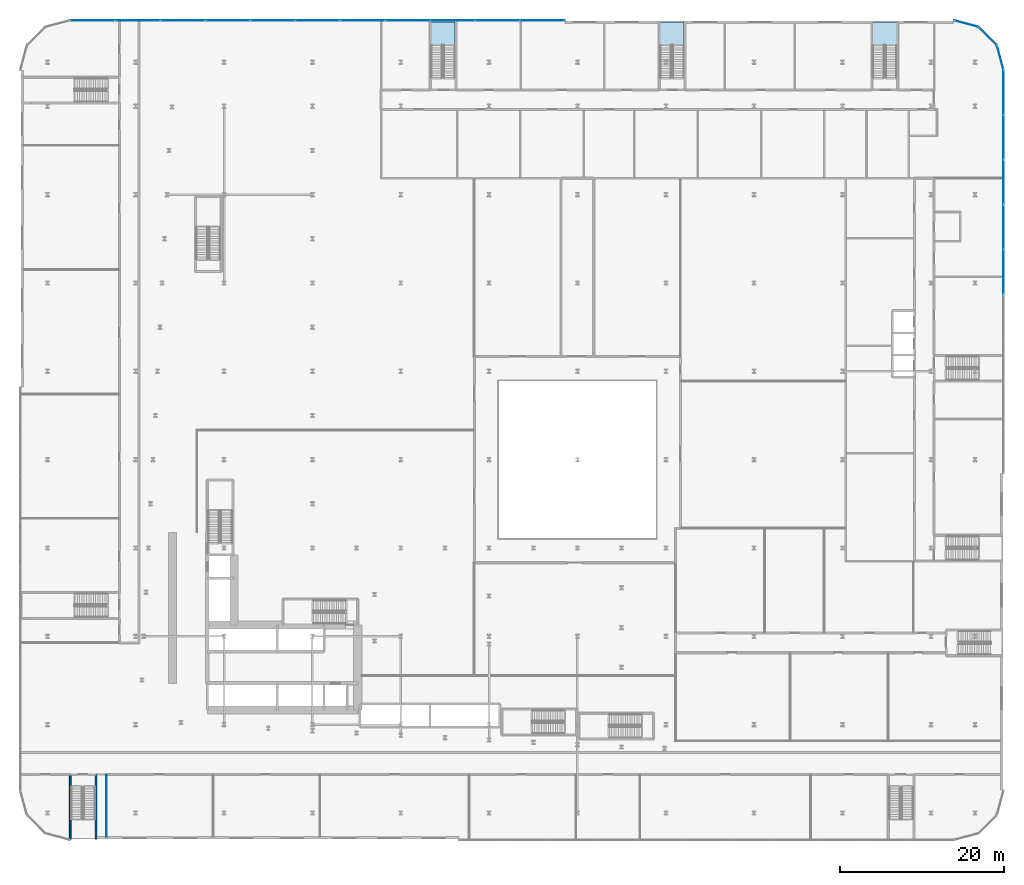
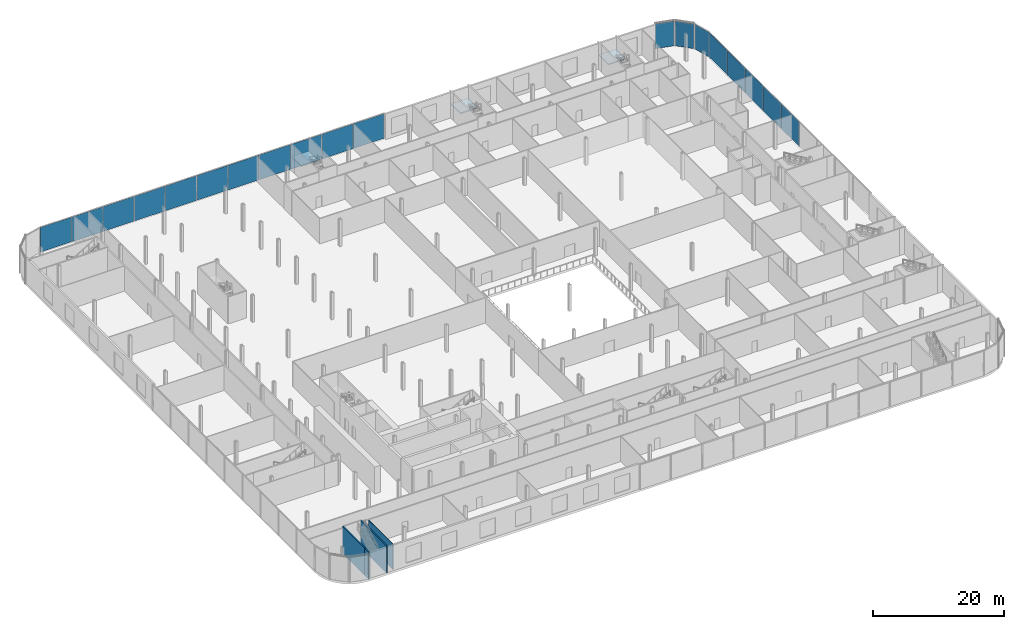
# One storey, part 24 of 47: 19 plates, 4 walls, 3 slabs, 8 elements without a shape of their own.
"""IFC4 building model written with IfcOpenShell, lengths in metres."""

from ifc_helpers import new_model, si_unit, direction, frame, frame_2d, origin, origin_2d, place, context, subcontext, project, spatial, polyline, rectangle, outline, extrude, material, layer, layer_set, type_object, element, aggregate, save


model = new_model("IFC4")

# Units and contexts
model_context = context("Model", 3, precision=1e-05, world=origin(), true_north=direction((0.0, 1.0)))
body_context = subcontext(model_context, "Body", "Model", "MODEL_VIEW")
ifc_project = project(units=[si_unit("LENGTHUNIT", "METRE"), si_unit("AREAUNIT", "SQUARE_METRE"), si_unit("VOLUMEUNIT", "CUBIC_METRE"), si_unit("PLANEANGLEUNIT", "RADIAN"), si_unit("MASSUNIT", "GRAM", prefix="KILO")], contexts=[model_context])

# Site, building, storey
site_placement = place(None, origin())
site = spatial("IfcSite", under=ifc_project, at=site_placement, CompositionType="ELEMENT")
building_placement = place(site_placement, origin())
building = spatial("IfcBuilding", under=site, at=building_placement, Name="Kheshtan School and Residences Tower", CompositionType="ELEMENT")
storey_placement = place(building_placement, frame((0.0, 0.0, 7.5)))
storey = spatial("IfcBuildingStorey", under=building, at=storey_placement, Name="L01", CompositionType="ELEMENT", Elevation=7.5)

# Curtain wall, plates
ifc_material_1 = material(Name="Clear low-e glass in thermally broken aluminium frame", Category="aluminium")
ifc_layer_1 = layer(ifc_material_1, 0.22509765625)
ifc_layer_set_1 = layer_set([ifc_layer_1], Name="Curtain wall CW-P")
curtain_wall_type = type_object("IfcCurtainWallType", Name="Curtain wall CW-P", PredefinedType="NOTDEFINED", material=ifc_layer_set_1)
curtain_wall_1_placement = place(storey_placement, origin())
curtain_wall_1 = element("IfcCurtainWall", 1, at=curtain_wall_1_placement, inside=storey, type_object=curtain_wall_type, Name="Curtain wall CWP4", PredefinedType="NOTDEFINED")
ifc_layer_2 = layer(ifc_material_1, 0.035888671875)
ifc_layer_set_2 = layer_set([ifc_layer_2], Name="CW-P glass panel")
plate_type = type_object("IfcPlateType", Name="CW-P glass panel", PredefinedType="CURTAIN_PANEL", material=ifc_layer_set_2)
plate_1_placement = place(storey_placement, frame((20.7216796875, 110.10009765625, 0.0), z_axis=(0.0, 0.0, 1.0), x_axis=(1.0, 0.0, 0.0)))
plate_1 = element("IfcPlate", 2, at=plate_1_placement, type_object=plate_type, Name="CWP4 panel 1.1", PredefinedType="CURTAIN_PANEL", context=body_context, shape_type="SweptSolid", body=[
    extrude(rectangle(XDim=5.4931640625, YDim=0.035888671875, at=origin_2d()), origin(), (0.0, 0.0, 1.0), 4.610107421875),
])
plate_2_placement = place(storey_placement, frame((26.247314453125, 110.10009765625, 0.0), z_axis=(0.0, 0.0, 1.0), x_axis=(1.0, 0.0, 0.0)))
plate_2 = element("IfcPlate", 3, at=plate_2_placement, type_object=plate_type, Name="CWP4 panel 2.1", PredefinedType="CURTAIN_PANEL", context=body_context, shape_type="SweptSolid", body=[
    extrude(rectangle(XDim=5.438232421875, YDim=0.035888671875, at=origin_2d()), origin(), (0.0, 0.0, 1.0), 4.610107421875),
])
plate_3_placement = place(storey_placement, frame((31.745361328125, 110.10009765625, 0.0), z_axis=(0.0, 0.0, 1.0), x_axis=(1.0, 0.0, 0.0)))
plate_3 = element("IfcPlate", 4, at=plate_3_placement, type_object=plate_type, Name="CWP4 panel 3.1", PredefinedType="CURTAIN_PANEL", context=body_context, shape_type="SweptSolid", body=[
    extrude(rectangle(XDim=5.438232421875, YDim=0.035888671875, at=origin_2d()), origin(), (0.0, 0.0, 1.0), 4.610107421875),
])
plate_4_placement = place(storey_placement, frame((37.24365234375, 110.10009765625, 0.0), z_axis=(0.0, 0.0, 1.0), x_axis=(1.0, 0.0, 0.0)))
plate_4 = element("IfcPlate", 5, at=plate_4_placement, type_object=plate_type, Name="CWP4 panel 4.1", PredefinedType="CURTAIN_PANEL", context=body_context, shape_type="SweptSolid", body=[
    extrude(rectangle(XDim=5.438232421875, YDim=0.035888671875, at=origin_2d()), origin(), (0.0, 0.0, 1.0), 4.610107421875),
])
plate_5_placement = place(storey_placement, frame((42.74169921875, 110.10009765625, 0.0), z_axis=(0.0, 0.0, 1.0), x_axis=(1.0, 0.0, 0.0)))
plate_5 = element("IfcPlate", 6, at=plate_5_placement, type_object=plate_type, Name="CWP4 panel 5.1", PredefinedType="CURTAIN_PANEL", context=body_context, shape_type="SweptSolid", body=[
    extrude(rectangle(XDim=5.438232421875, YDim=0.035888671875, at=origin_2d()), origin(), (0.0, 0.0, 1.0), 4.610107421875),
])
plate_6_placement = place(storey_placement, frame((48.239990234375, 110.10009765625, 0.0), z_axis=(0.0, 0.0, 1.0), x_axis=(1.0, 0.0, 0.0)))
plate_6 = element("IfcPlate", 7, at=plate_6_placement, type_object=plate_type, Name="CWP4 panel 6.1", PredefinedType="CURTAIN_PANEL", context=body_context, shape_type="SweptSolid", body=[
    extrude(rectangle(XDim=5.438232421875, YDim=0.035888671875, at=origin_2d()), origin(), (0.0, 0.0, 1.0), 4.610107421875),
])
plate_7_placement = place(storey_placement, frame((53.73828125, 110.10009765625, 0.0), z_axis=(0.0, 0.0, 1.0), x_axis=(1.0, 0.0, 0.0)))
plate_7 = element("IfcPlate", 8, at=plate_7_placement, type_object=plate_type, Name="CWP4 panel 7.1", PredefinedType="CURTAIN_PANEL", context=body_context, shape_type="SweptSolid", body=[
    extrude(rectangle(XDim=5.438232421875, YDim=0.035888671875, at=origin_2d()), origin(), (0.0, 0.0, 1.0), 4.610107421875),
])
plate_8_placement = place(storey_placement, frame((59.236328125, 110.10009765625, 0.0), z_axis=(0.0, 0.0, 1.0), x_axis=(1.0, 0.0, 0.0)))
plate_8 = element("IfcPlate", 9, at=plate_8_placement, type_object=plate_type, Name="CWP4 panel 8.1", PredefinedType="CURTAIN_PANEL", context=body_context, shape_type="SweptSolid", body=[
    extrude(rectangle(XDim=5.438232421875, YDim=0.035888671875, at=origin_2d()), origin(), (0.0, 0.0, 1.0), 4.610107421875),
])
plate_9_placement = place(storey_placement, frame((64.734619140625, 110.10009765625, 0.0), z_axis=(0.0, 0.0, 1.0), x_axis=(1.0, 0.0, 0.0)))
plate_9 = element("IfcPlate", 10, at=plate_9_placement, type_object=plate_type, Name="CWP4 panel 9.1", PredefinedType="CURTAIN_PANEL", context=body_context, shape_type="SweptSolid", body=[
    extrude(rectangle(XDim=5.438232421875, YDim=0.035888671875, at=origin_2d()), origin(), (0.0, 0.0, 1.0), 4.610107421875),
])
plate_10_placement = place(storey_placement, frame((70.232666015625, 110.10009765625, 0.0), z_axis=(0.0, 0.0, 1.0), x_axis=(1.0, 0.0, 0.0)))
plate_10 = element("IfcPlate", 11, at=plate_10_placement, type_object=plate_type, Name="CWP4 panel 10.1", PredefinedType="CURTAIN_PANEL", context=body_context, shape_type="SweptSolid", body=[
    extrude(rectangle(XDim=5.438232421875, YDim=0.035888671875, at=origin_2d()), origin(), (0.0, 0.0, 1.0), 4.610107421875),
])
plate_11_placement = place(storey_placement, frame((75.7158203125, 110.10009765625, 0.0), z_axis=(0.0, 0.0, 1.0), x_axis=(1.0, 0.0, 0.0)))
plate_11 = element("IfcPlate", 12, at=plate_11_placement, type_object=plate_type, Name="CWP4 panel 11.1", PredefinedType="CURTAIN_PANEL", context=body_context, shape_type="SweptSolid", body=[
    extrude(rectangle(XDim=5.408203125, YDim=0.035888671875, at=origin_2d()), origin(), (0.0, 0.0, 1.0), 4.610107421875),
])
aggregate(curtain_wall_1, [plate_1, plate_2, plate_3, plate_4, plate_5, plate_6, plate_7, plate_8, plate_9, plate_10, plate_11])

# Curtain wall, plate
curtain_wall_2_placement = place(storey_placement, origin())
curtain_wall_2 = element("IfcCurtainWall", 13, at=curtain_wall_2_placement, inside=storey, type_object=curtain_wall_type, Name="Curtain wall CWP5", PredefinedType="NOTDEFINED")
plate_12_placement = place(storey_placement, frame((127.52587890625, 109.694580078125, 0.0), z_axis=(0.0, 0.0, 1.0), x_axis=(0.965913556273, -0.258864833085, 0.0)))
plate_12 = element("IfcPlate", 14, at=plate_12_placement, type_object=plate_type, Name="CWP5 panel 1.1", PredefinedType="CURTAIN_PANEL", context=body_context, shape_type="SweptSolid", body=[
    extrude(rectangle(XDim=2.98583984375, YDim=0.035888671875, at=origin_2d()), origin(), (0.0, 0.0, 1.0), 4.610107421875),
])
aggregate(curtain_wall_2, [plate_12])

curtain_wall_3_placement = place(storey_placement, origin())
curtain_wall_3 = element("IfcCurtainWall", 15, at=curtain_wall_3_placement, inside=storey, type_object=curtain_wall_type, Name="Curtain wall CWP6", PredefinedType="NOTDEFINED")
plate_13_placement = place(storey_placement, frame((130.168701171875, 108.168701171875, 0.0), z_axis=(0.0, 0.0, 1.0), x_axis=(0.707106781187, -0.707106781187, 0.0)))
plate_13 = element("IfcPlate", 16, at=plate_13_placement, type_object=plate_type, Name="CWP6 panel 1.1", PredefinedType="CURTAIN_PANEL", context=body_context, shape_type="SweptSolid", body=[
    extrude(rectangle(XDim=2.985595703125, YDim=0.035888671875, at=origin_2d()), origin(), (0.0, 0.0, 1.0), 4.610107421875),
])
aggregate(curtain_wall_3, [plate_13])

curtain_wall_4_placement = place(storey_placement, origin())
curtain_wall_4 = element("IfcCurtainWall", 17, at=curtain_wall_4_placement, inside=storey, type_object=curtain_wall_type, Name="Curtain wall CWP7", PredefinedType="NOTDEFINED")
plate_14_placement = place(storey_placement, frame((131.694580078125, 105.52587890625, 0.0), z_axis=(0.0, 0.0, 1.0), x_axis=(0.258864833085, -0.965913556273, 0.0)))
plate_14 = element("IfcPlate", 18, at=plate_14_placement, type_object=plate_type, Name="CWP7 panel 1.1", PredefinedType="CURTAIN_PANEL", context=body_context, shape_type="SweptSolid", body=[
    extrude(rectangle(XDim=2.98583984375, YDim=0.035888671875, at=origin_2d()), origin(), (0.0, 0.0, 1.0), 4.610107421875),
])
aggregate(curtain_wall_4, [plate_14])

# Curtain wall, plates
curtain_wall_5_placement = place(storey_placement, origin())
curtain_wall_5 = element("IfcCurtainWall", 19, at=curtain_wall_5_placement, inside=storey, type_object=curtain_wall_type, Name="Curtain wall CWP8", PredefinedType="NOTDEFINED")
plate_15_placement = place(storey_placement, frame((132.10009765625, 101.28955078125, 0.0), z_axis=(0.0, 0.0, 1.0), x_axis=(0.0, -1.0, 0.0)))
plate_15 = element("IfcPlate", 20, at=plate_15_placement, type_object=plate_type, Name="CWP8 panel 1.1", PredefinedType="CURTAIN_PANEL", context=body_context, shape_type="SweptSolid", body=[
    extrude(rectangle(XDim=5.470458984375, YDim=0.035888671875, at=origin_2d()), origin(), (0.0, 0.0, 1.0), 4.610107421875),
])
plate_16_placement = place(storey_placement, frame((132.10009765625, 95.78662109375, 0.0), z_axis=(0.0, 0.0, 1.0), x_axis=(0.0, -1.0, 0.0)))
plate_16 = element("IfcPlate", 21, at=plate_16_placement, type_object=plate_type, Name="CWP8 panel 2.1", PredefinedType="CURTAIN_PANEL", context=body_context, shape_type="SweptSolid", body=[
    extrude(rectangle(XDim=5.41552734375, YDim=0.035888671875, at=origin_2d()), origin(), (0.0, 0.0, 1.0), 4.610107421875),
])
plate_17_placement = place(storey_placement, frame((132.10009765625, 90.31103515625, 0.0), z_axis=(0.0, 0.0, 1.0), x_axis=(0.0, -1.0, 0.0)))
plate_17 = element("IfcPlate", 22, at=plate_17_placement, type_object=plate_type, Name="CWP8 panel 3.1", PredefinedType="CURTAIN_PANEL", context=body_context, shape_type="SweptSolid", body=[
    extrude(rectangle(XDim=5.41552734375, YDim=0.035888671875, at=origin_2d()), origin(), (0.0, 0.0, 1.0), 4.610107421875),
])
plate_18_placement = place(storey_placement, frame((132.10009765625, 84.83544921875, 0.0), z_axis=(0.0, 0.0, 1.0), x_axis=(0.0, -1.0, 0.0)))
plate_18 = element("IfcPlate", 23, at=plate_18_placement, type_object=plate_type, Name="CWP8 panel 4.1", PredefinedType="CURTAIN_PANEL", context=body_context, shape_type="SweptSolid", body=[
    extrude(rectangle(XDim=5.41552734375, YDim=0.035888671875, at=origin_2d()), origin(), (0.0, 0.0, 1.0), 4.610107421875),
])
plate_19_placement = place(storey_placement, frame((132.10009765625, 79.360107421875, 0.0), z_axis=(0.0, 0.0, 1.0), x_axis=(0.0, -1.0, 0.0)))
plate_19 = element("IfcPlate", 24, at=plate_19_placement, type_object=plate_type, Name="CWP8 panel 5.1", PredefinedType="CURTAIN_PANEL", context=body_context, shape_type="SweptSolid", body=[
    extrude(rectangle(XDim=5.41552734375, YDim=0.035888671875, at=origin_2d()), origin(), (0.0, 0.0, 1.0), 4.610107421875),
])
aggregate(curtain_wall_5, [plate_15, plate_16, plate_17, plate_18, plate_19])

# Stair, slab
ifc_material_2 = material(Name="Concrete C40/50", Category="concrete")
stair_type = type_object("IfcStairType", Name="Exit stair, half-turn", PredefinedType="HALF_TURN_STAIR", material=ifc_material_2)
stair_1_placement = place(storey_placement, origin())
stair_1 = element("IfcStair", 25, at=stair_1_placement, inside=storey, type_object=stair_type, Name="L01 School Exit Stair 062-102", PredefinedType="HALF_TURN_STAIR")
ifc_layer_3 = layer(ifc_material_2, 0.199951171875)
ifc_layer_set_3 = layer_set([ifc_layer_3], Name="Stair landing 200 Concrete C40/50")
slab_type = type_object("IfcSlabType", Name="Stair landing 200 Concrete C40/50", PredefinedType="LANDING", material=ifc_layer_set_3)
slab_1_placement = place(storey_placement, frame((0.0, 0.0, 2.300048828125)))
slab_1 = element("IfcSlab", 26, at=slab_1_placement, type_object=slab_type, Name="PS-062-102 landing 1", PredefinedType="LANDING", context=body_context, shape_type="SweptSolid", body=[
    extrude(outline(polyline([(65.050048828125, 107.02001953125), (65.050048828125, 109.89990234375), (62.10009765625, 109.89990234375), (62.10009765625, 107.02001953125), (65.050048828125, 107.02001953125)])), origin(), (0.0, 0.0, 1.0), 0.199951171875),
])
aggregate(stair_1, [slab_1])

stair_2_placement = place(storey_placement, origin())
stair_2 = element("IfcStair", 27, at=stair_2_placement, inside=storey, type_object=stair_type, Name="L01 School Exit Stair 090-102", PredefinedType="HALF_TURN_STAIR")
slab_2_placement = place(storey_placement, frame((0.0, 0.0, 2.300048828125)))
slab_2 = element("IfcSlab", 28, at=slab_2_placement, type_object=slab_type, Name="PS-090-102 landing 1", PredefinedType="LANDING", context=body_context, shape_type="SweptSolid", body=[
    extrude(outline(polyline([(93.050048828125, 107.02001953125), (93.050048828125, 109.89990234375), (90.10009765625, 109.89990234375), (90.10009765625, 107.02001953125), (93.050048828125, 107.02001953125)])), origin(), (0.0, 0.0, 1.0), 0.199951171875),
])
aggregate(stair_2, [slab_2])

stair_3_placement = place(storey_placement, origin())
stair_3 = element("IfcStair", 29, at=stair_3_placement, inside=storey, type_object=stair_type, Name="L01 School Exit Stair 116-102", PredefinedType="HALF_TURN_STAIR")
slab_3_placement = place(storey_placement, frame((0.0, 0.0, 2.300048828125)))
slab_3 = element("IfcSlab", 30, at=slab_3_placement, type_object=slab_type, Name="PS-116-102 landing 1", PredefinedType="LANDING", context=body_context, shape_type="SweptSolid", body=[
    extrude(outline(polyline([(119.050048828125, 107.02001953125), (119.050048828125, 109.89990234375), (116.10009765625, 109.89990234375), (116.10009765625, 107.02001953125), (119.050048828125, 107.02001953125)])), origin(), (0.0, 0.0, 1.0), 0.199951171875),
])
aggregate(stair_3, [slab_3])

# Walls
ifc_material_3 = material(Name="Gypsum board on steel studs", Category="steel")
ifc_layer_4 = layer(ifc_material_3, 0.10009765625)
ifc_layer_set_4 = layer_set([ifc_layer_4], Name="Gypsum partition 100")
wall_type_1 = type_object("IfcWallType", Name="Gypsum partition 100", PredefinedType="PARTITIONING", material=ifc_layer_set_4)
wall_1_placement = place(storey_placement, frame((22.43505859375, 10.299072265625, 0.0), z_axis=(0.0, 0.0, 1.0), x_axis=(0.0, 1.0, 0.0)))
element("IfcWall", 31, at=wall_1_placement, inside=storey, type_object=wall_type_1, Name="Partition L01-009", PredefinedType="PARTITIONING", context=body_context, shape_type="SweptSolid", body=[
    extrude(rectangle(XDim=7.5009765625, YDim=0.10009765625, at=frame_2d((3.75048828125, 0.0))), origin(), (0.0, 0.0, 1.0), 4.679931640625),
])
ifc_layer_5 = layer(ifc_material_2, 0.199951171875)
ifc_layer_set_5 = layer_set([ifc_layer_5], Name="Stair enclosure wall 200 Concrete C40/50")
wall_type_2 = type_object("IfcWallType", Name="Stair enclosure wall 200 Concrete C40/50", PredefinedType="SHEAR", material=ifc_layer_set_5)
wall_2_placement = place(storey_placement, frame((18.0, 10.0, 0.0), z_axis=(0.0, 0.0, 1.0), x_axis=(0.0, 1.0, 0.0)))
element("IfcWall", 32, at=wall_2_placement, inside=storey, type_object=wall_type_2, Name="Stair enclosure wall", PredefinedType="SHEAR", context=body_context, shape_type="SweptSolid", body=[
    extrude(rectangle(XDim=1.199951171875, YDim=0.199951171875, at=frame_2d((0.60009765625, 0.0))), origin(), (0.0, 0.0, 1.0), 5.0),
])
wall_3_placement = place(storey_placement, frame((18.0, 11.199951171875, 0.0), z_axis=(0.0, 0.0, 1.0), x_axis=(0.0, 1.0, 0.0)))
element("IfcWall", 33, at=wall_3_placement, inside=storey, type_object=wall_type_2, Name="Stair enclosure wall", PredefinedType="SHEAR", context=body_context, shape_type="SweptSolid", body=[
    extrude(rectangle(XDim=6.699951171875, YDim=0.199951171875, at=frame_2d((3.35009765625, 0.0))), origin(), (0.0, 0.0, 1.0), 5.0),
])
wall_4_placement = place(storey_placement, frame((21.14990234375, 10.0, 0.0), z_axis=(0.0, 0.0, 1.0), x_axis=(0.0, 1.0, 0.0)))
element("IfcWall", 34, at=wall_4_placement, inside=storey, type_object=wall_type_2, Name="Stair enclosure wall", PredefinedType="SHEAR", context=body_context, shape_type="SweptSolid", body=[
    extrude(rectangle(XDim=7.89990234375, YDim=0.199951171875, at=frame_2d((3.949951171875, 0.0))), origin(), (0.0, 0.0, 1.0), 5.0),
])

save(model, "model.ifc")
